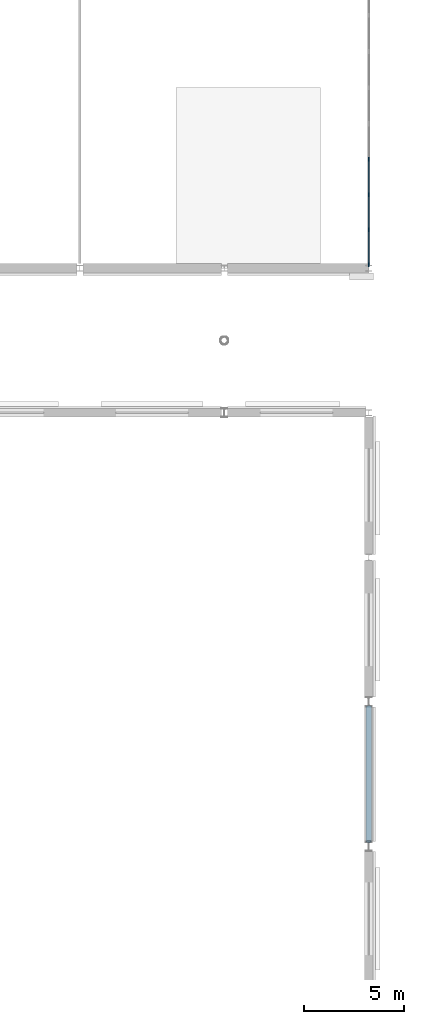
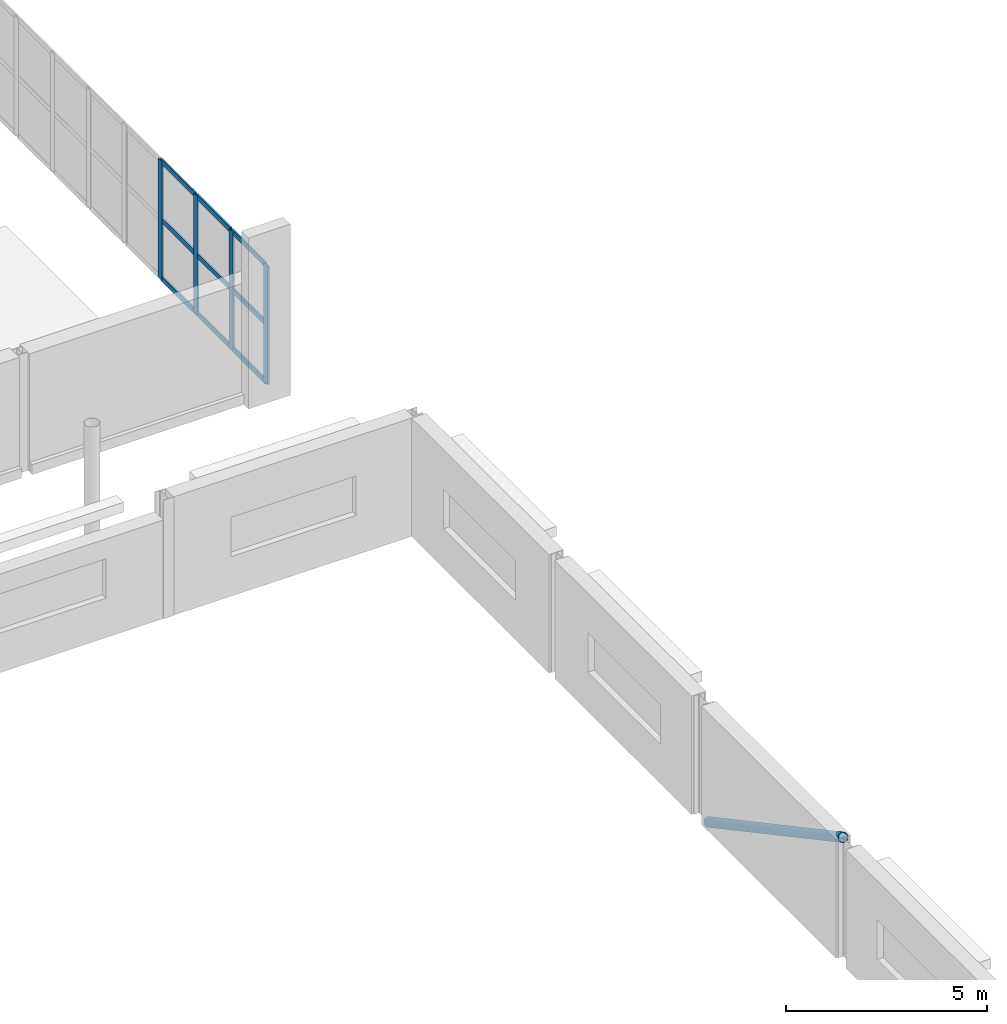
# One storey, part 52 of 124: 14 members, 1 element without a shape of its own.
"""IFC4 building model written with IfcOpenShell, lengths in metres."""

from ifc_helpers import new_model, si_unit, direction, frame, origin, origin_2d, place, context, subcontext, project, spatial, rectangle, hollow_circle, extrude, material, material_profile, profile_set, type_object, element, aggregate, save


model = new_model("IFC4")

# Units and contexts
model_context = context("Model", 3, precision=1e-05, world=origin(), true_north=direction((0.0, 1.0)))
body_context = subcontext(model_context, "Body", "Model", "MODEL_VIEW")
ifc_project = project(units=[si_unit("LENGTHUNIT", "METRE"), si_unit("AREAUNIT", "SQUARE_METRE"), si_unit("VOLUMEUNIT", "CUBIC_METRE"), si_unit("PLANEANGLEUNIT", "RADIAN"), si_unit("MASSUNIT", "GRAM", prefix="KILO")], contexts=[model_context])

# Site, building, storey
site_placement = place(None, origin())
site = spatial("IfcSite", under=ifc_project, at=site_placement, CompositionType="ELEMENT")
building_placement = place(site_placement, origin())
building = spatial("IfcBuilding", under=site, at=building_placement, Name="Kupolbacken Congress Centre", CompositionType="ELEMENT")
storey_placement = place(building_placement, frame((0.0, 0.0, 10.800048828125)))
storey = spatial("IfcBuildingStorey", under=building, at=storey_placement, Name="L03", CompositionType="ELEMENT", Elevation=10.800048828125)

# Member
ifc_material_1 = material(Name="Steel S355", Category="steel")
ifc_material_profile_1 = material_profile(ifc_material_1, hollow_circle(Radius=0.136474609375, WallThickness=0.012451171875, at=origin_2d()), Name="CHS 273 x 12.5")
ifc_profile_set_1 = profile_set([ifc_material_profile_1], Name="Steel S355")
member_type_1 = type_object("IfcMemberType", Name="M08 brace CHS 273 x 12.5", PredefinedType="BRACE", material=ifc_profile_set_1)
member_1_placement = place(storey_placement, frame((201.60009765625, 100.554931640625, 0.0), z_axis=(0.0, -0.881193823646, 0.472755164083), x_axis=(1.0, 0.0, 0.0)))
element("IfcMember", 1, at=member_1_placement, inside=storey, type_object=member_type_1, Name="S/brace/E/08/04", PredefinedType="BRACE", context=body_context, shape_type="SweptSolid", body=[
    extrude(hollow_circle(Radius=0.136474609375, WallThickness=0.012451171875, at=origin_2d()), origin(), (0.0, 0.0, 1.0), 7.61474609375),
])

# Curtain wall, members
ifc_material_2 = material(Name="Aluminium mullion-transom frame with glass", Category="aluminium")
curtain_wall_type = type_object("IfcCurtainWallType", Name="CW1 curtain wall 7200x3600", PredefinedType="NOTDEFINED", material=ifc_material_2)
curtain_wall_placement = place(storey_placement, origin())
curtain_wall = element("IfcCurtainWall", 2, at=curtain_wall_placement, inside=storey, type_object=curtain_wall_type, Name="E/B/E/L03/297", PredefinedType="NOTDEFINED")
ifc_material_3 = material(Name="Aluminium alloy", Category="aluminium")
ifc_material_profile_2 = material_profile(ifc_material_3, rectangle(XDim=0.050048828125, YDim=0.199951171875, at=origin_2d()), Name="50 x 200")
ifc_profile_set_2 = profile_set([ifc_material_profile_2], Name="Aluminium alloy")
member_type_2 = type_object("IfcMemberType", Name="MU2 mullion 50x200", PredefinedType="MULLION", material=ifc_profile_set_2)
member_2_placement = place(storey_placement, frame((201.60009765625, 122.574951171875, 0.0), z_axis=(0.0, 0.0, 1.0), x_axis=(-1.0, 0.0, 0.0)))
member_2 = element("IfcMember", 3, at=member_2_placement, type_object=member_type_2, Name="CW1 mullion 1", PredefinedType="MULLION", context=body_context, shape_type="SweptSolid", body=[
    extrude(rectangle(XDim=0.050048828125, YDim=0.199951171875, at=origin_2d()), origin(), (0.0, 0.0, 1.0), 3.599853515625),
])
member_3_placement = place(storey_placement, frame((201.60009765625, 124.3125, 0.0), z_axis=(0.0, 0.0, 1.0), x_axis=(-1.0, 0.0, 0.0)))
member_3 = element("IfcMember", 4, at=member_3_placement, type_object=member_type_2, Name="CW1 mullion 2", PredefinedType="MULLION", context=body_context, shape_type="SweptSolid", body=[
    extrude(rectangle(XDim=0.050048828125, YDim=0.199951171875, at=origin_2d()), origin(), (0.0, 0.0, 1.0), 3.599853515625),
])
member_4_placement = place(storey_placement, frame((201.60009765625, 126.074951171875, 0.0), z_axis=(0.0, 0.0, 1.0), x_axis=(-1.0, 0.0, 0.0)))
member_4 = element("IfcMember", 5, at=member_4_placement, type_object=member_type_2, Name="CW1 mullion 3", PredefinedType="MULLION", context=body_context, shape_type="SweptSolid", body=[
    extrude(rectangle(XDim=0.050048828125, YDim=0.199951171875, at=origin_2d()), origin(), (0.0, 0.0, 1.0), 3.599853515625),
])
member_5_placement = place(storey_placement, frame((201.60009765625, 127.83740234375, 0.0), z_axis=(0.0, 0.0, 1.0), x_axis=(-1.0, 0.0, 0.0)))
member_5 = element("IfcMember", 6, at=member_5_placement, type_object=member_type_2, Name="CW1 mullion 4", PredefinedType="MULLION", context=body_context, shape_type="SweptSolid", body=[
    extrude(rectangle(XDim=0.050048828125, YDim=0.199951171875, at=origin_2d()), origin(), (0.0, 0.0, 1.0), 3.599853515625),
])
ifc_material_4 = material(Name="Aluminium alloy", Category="aluminium")
ifc_material_profile_3 = material_profile(ifc_material_4, rectangle(XDim=0.050048828125, YDim=0.14990234375, at=origin_2d()), Name="50 x 150")
ifc_profile_set_3 = profile_set([ifc_material_profile_3], Name="Aluminium alloy")
member_type_3 = type_object("IfcMemberType", Name="TR2 transom 50x150", PredefinedType="MULLION", material=ifc_profile_set_3)
member_6_placement = place(storey_placement, frame((201.60009765625, 122.60009765625, 0.02490234375), z_axis=(0.0, 1.0, 0.0), x_axis=(-1.0, 0.0, 0.0)))
member_6 = element("IfcMember", 7, at=member_6_placement, type_object=member_type_3, Name="CW1 transom 1.1", PredefinedType="MULLION", context=body_context, shape_type="SweptSolid", body=[
    extrude(rectangle(XDim=0.050048828125, YDim=0.14990234375, at=origin_2d()), origin(), (0.0, 0.0, 1.0), 1.6875),
])
member_7_placement = place(storey_placement, frame((201.60009765625, 122.60009765625, 1.800048828125), z_axis=(0.0, 1.0, 0.0), x_axis=(-1.0, 0.0, 0.0)))
member_7 = element("IfcMember", 8, at=member_7_placement, type_object=member_type_3, Name="CW1 transom 1.2", PredefinedType="MULLION", context=body_context, shape_type="SweptSolid", body=[
    extrude(rectangle(XDim=0.050048828125, YDim=0.14990234375, at=origin_2d()), origin(), (0.0, 0.0, 1.0), 1.6875),
])
member_8_placement = place(storey_placement, frame((201.60009765625, 122.60009765625, 3.574951171875), z_axis=(0.0, 1.0, 0.0), x_axis=(-1.0, 0.0, 0.0)))
member_8 = element("IfcMember", 9, at=member_8_placement, type_object=member_type_3, Name="CW1 transom 1.3", PredefinedType="MULLION", context=body_context, shape_type="SweptSolid", body=[
    extrude(rectangle(XDim=0.050048828125, YDim=0.14990234375, at=origin_2d()), origin(), (0.0, 0.0, 1.0), 1.6875),
])
member_9_placement = place(storey_placement, frame((201.60009765625, 124.33740234375, 0.02490234375), z_axis=(0.0, 1.0, 0.0), x_axis=(-1.0, 0.0, 0.0)))
member_9 = element("IfcMember", 10, at=member_9_placement, type_object=member_type_3, Name="CW1 transom 2.1", PredefinedType="MULLION", context=body_context, shape_type="SweptSolid", body=[
    extrude(rectangle(XDim=0.050048828125, YDim=0.14990234375, at=origin_2d()), origin(), (0.0, 0.0, 1.0), 1.712646484375),
])
member_10_placement = place(storey_placement, frame((201.60009765625, 124.33740234375, 1.800048828125), z_axis=(0.0, 1.0, 0.0), x_axis=(-1.0, 0.0, 0.0)))
member_10 = element("IfcMember", 11, at=member_10_placement, type_object=member_type_3, Name="CW1 transom 2.2", PredefinedType="MULLION", context=body_context, shape_type="SweptSolid", body=[
    extrude(rectangle(XDim=0.050048828125, YDim=0.14990234375, at=origin_2d()), origin(), (0.0, 0.0, 1.0), 1.712646484375),
])
member_11_placement = place(storey_placement, frame((201.60009765625, 124.33740234375, 3.574951171875), z_axis=(0.0, 1.0, 0.0), x_axis=(-1.0, 0.0, 0.0)))
member_11 = element("IfcMember", 12, at=member_11_placement, type_object=member_type_3, Name="CW1 transom 2.3", PredefinedType="MULLION", context=body_context, shape_type="SweptSolid", body=[
    extrude(rectangle(XDim=0.050048828125, YDim=0.14990234375, at=origin_2d()), origin(), (0.0, 0.0, 1.0), 1.712646484375),
])
member_12_placement = place(storey_placement, frame((201.60009765625, 126.10009765625, 0.02490234375), z_axis=(0.0, 1.0, 0.0), x_axis=(-1.0, 0.0, 0.0)))
member_12 = element("IfcMember", 13, at=member_12_placement, type_object=member_type_3, Name="CW1 transom 3.1", PredefinedType="MULLION", context=body_context, shape_type="SweptSolid", body=[
    extrude(rectangle(XDim=0.050048828125, YDim=0.14990234375, at=origin_2d()), origin(), (0.0, 0.0, 1.0), 1.71240234375),
])
member_13_placement = place(storey_placement, frame((201.60009765625, 126.10009765625, 1.800048828125), z_axis=(0.0, 1.0, 0.0), x_axis=(-1.0, 0.0, 0.0)))
member_13 = element("IfcMember", 14, at=member_13_placement, type_object=member_type_3, Name="CW1 transom 3.2", PredefinedType="MULLION", context=body_context, shape_type="SweptSolid", body=[
    extrude(rectangle(XDim=0.050048828125, YDim=0.14990234375, at=origin_2d()), origin(), (0.0, 0.0, 1.0), 1.71240234375),
])
member_14_placement = place(storey_placement, frame((201.60009765625, 126.10009765625, 3.574951171875), z_axis=(0.0, 1.0, 0.0), x_axis=(-1.0, 0.0, 0.0)))
member_14 = element("IfcMember", 15, at=member_14_placement, type_object=member_type_3, Name="CW1 transom 3.3", PredefinedType="MULLION", context=body_context, shape_type="SweptSolid", body=[
    extrude(rectangle(XDim=0.050048828125, YDim=0.14990234375, at=origin_2d()), origin(), (0.0, 0.0, 1.0), 1.71240234375),
])
aggregate(curtain_wall, [member_2, member_3, member_4, member_5, member_6, member_7, member_8, member_9, member_10, member_11, member_12, member_13, member_14])

save(model, "model.ifc")
